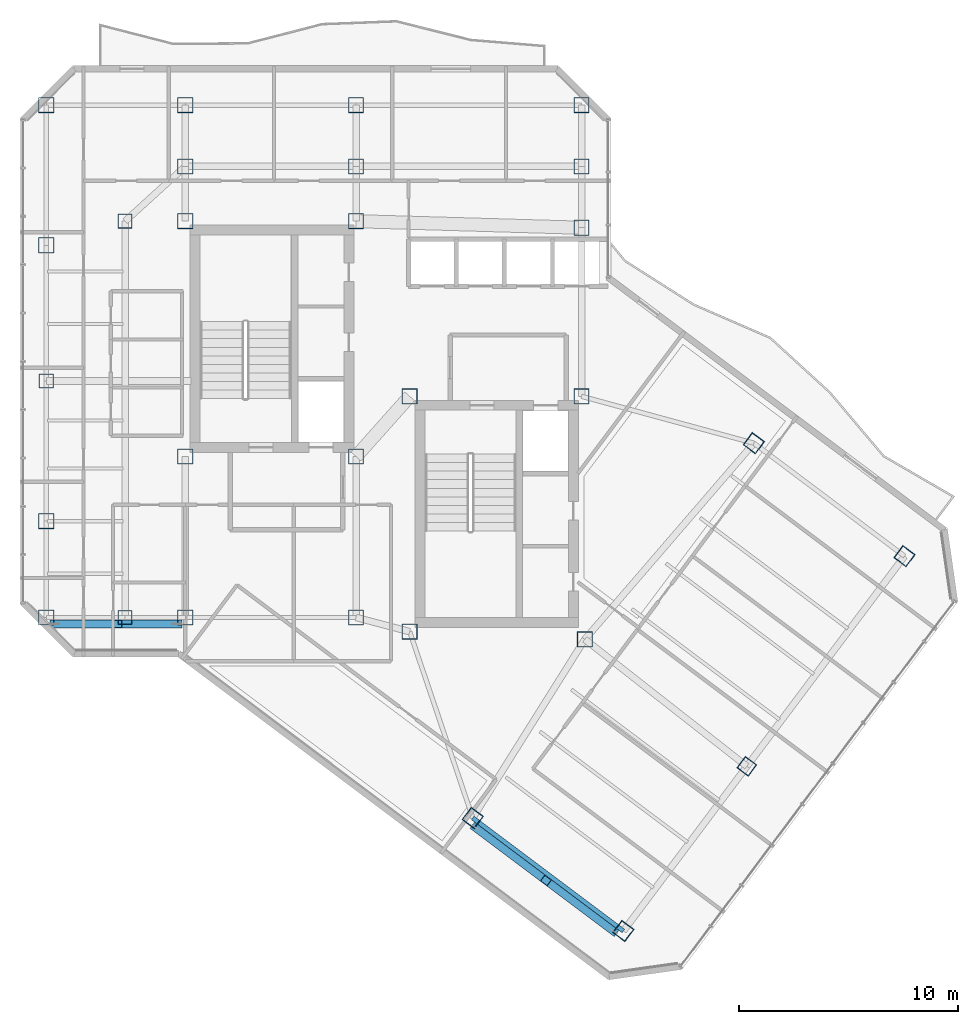
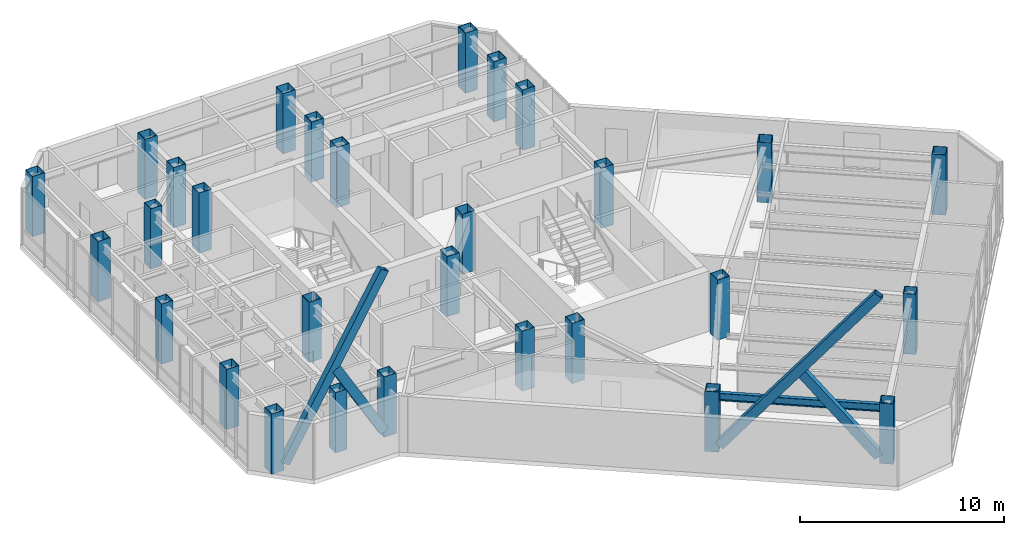
# One storey, part 1 of 25: 29 columns, 4 members, 1 beam.
"""IFC4 building model written with IfcOpenShell, lengths in metres."""

from ifc_helpers import new_model, si_unit, direction, frame, origin, origin_2d, place, context, subcontext, project, spatial, hollow_rectangle, i_section, extrude, material, material_profile, profile_set, type_object, element, save


model = new_model("IFC4")

# Units and contexts
model_context = context("Model", 3, precision=1e-05, world=origin(), true_north=direction((0.0, 1.0)))
body_context = subcontext(model_context, "Body", "Model", "MODEL_VIEW")
ifc_project = project(units=[si_unit("LENGTHUNIT", "METRE"), si_unit("AREAUNIT", "SQUARE_METRE"), si_unit("VOLUMEUNIT", "CUBIC_METRE"), si_unit("PLANEANGLEUNIT", "RADIAN"), si_unit("MASSUNIT", "GRAM", prefix="KILO")], contexts=[model_context])

# Site, building, storey
site_placement = place(None, origin())
site = spatial("IfcSite", under=ifc_project, at=site_placement, CompositionType="ELEMENT")
building_placement = place(site_placement, origin())
building = spatial("IfcBuilding", under=site, at=building_placement, Name="Hatsunagi Terrace Concourse", CompositionType="ELEMENT")
storey_placement = place(building_placement, frame((0.0, 0.0, 223.949951171875)))
storey = spatial("IfcBuildingStorey", under=building, at=storey_placement, Name="L59", CompositionType="ELEMENT", Elevation=223.949951171875)

# Columns
ifc_material_1 = material(Name="Steel BCP325T", Category="steel")
ifc_material_profile_1 = material_profile(ifc_material_1, hollow_rectangle(XDim=0.64990234375, YDim=0.64990234375, WallThickness=0.02490234375, at=origin_2d()), Name="BCP-650x650x25")
ifc_profile_set_1 = profile_set([ifc_material_profile_1], Name="Steel BCP325T")
column_type_1 = type_object("IfcColumnType", Name="TowerBoxColumn_650x650x25", PredefinedType="COLUMN", material=ifc_profile_set_1)
for number, where, z_axis, x_axis, name in (
    (1, (22.800048828125, 25.199951171875, 0.0), (0.0, 0.0, 1.0), (1.0, 0.0, 0.0), "Column C-09 L59-CW1"),
    (2, (22.800048828125, 43.300048828125, 0.0), (0.0, 0.0, 1.0), (1.0, 0.0, 0.0), "Column C-09 L59-CW2"),
    (3, (19.199951171875, 36.0, 0.0), (0.0, 0.0, 1.0), (1.0, 0.0, 0.0), "Column C-09 L59-WT2"),
    (4, (51.199951171875, 18.39990234375, 0.0), (0.0, 0.0, 1.0), (0.799999996291, -0.600000004945, 0.0), "Column C-09 L59-SEM2"),
):
    element("IfcColumn", number, at=place(storey_placement, frame(where, z_axis=z_axis, x_axis=x_axis)), inside=storey, type_object=column_type_1, Name=name, PredefinedType="COLUMN", context=body_context, shape_type="SweptSolid", body=[
        extrude(hollow_rectangle(XDim=0.64990234375, YDim=0.64990234375, WallThickness=0.02490234375, at=origin_2d()), origin(), (0.0, 0.0, 1.0), 3.60009765625),
    ])
ifc_material_2 = material(Name="Steel BCP325T", Category="steel")
ifc_material_profile_2 = material_profile(ifc_material_2, hollow_rectangle(XDim=0.699951171875, YDim=0.699951171875, WallThickness=0.028076171875, at=origin_2d()), Name="BCP-700x700x28")
ifc_profile_set_2 = profile_set([ifc_material_profile_2], Name="Steel BCP325T")
column_type_2 = type_object("IfcColumnType", Name="TowerBoxColumn_700x700x28", PredefinedType="COLUMN", material=ifc_profile_set_2)
for number, where, z_axis, x_axis, name in (
    (5, (25.550048828125, 32.550048828125, 0.0), (0.0, 0.0, 1.0), (1.0, 0.0, 0.0), "Column C-08 L59-CASW"),
    (6, (33.35009765625, 32.550048828125, 0.0), (0.0, 0.0, 1.0), (1.0, 0.0, 0.0), "Column C-08 L59-CASE"),
    (7, (25.550048828125, 43.300048828125, 0.0), (0.0, 0.0, 1.0), (1.0, 0.0, 0.0), "Column C-08 L59-CANW"),
    (8, (33.35009765625, 43.300048828125, 0.0), (0.0, 0.0, 1.0), (1.0, 0.0, 0.0), "Column C-08 L59-CANE"),
    (9, (35.800048828125, 24.550048828125, 0.0), (0.0, 0.0, 1.0), (1.0, 0.0, 0.0), "Column C-08 L59-CBSW"),
    (10, (43.800048828125, 24.199951171875, 0.0), (0.0, 0.0, 1.0), (1.0, 0.0, 0.0), "Column C-08 L59-CBSE"),
    (11, (35.800048828125, 35.300048828125, 0.0), (0.0, 0.0, 1.0), (1.0, 0.0, 0.0), "Column C-08 L59-CBNW"),
    (12, (43.64990234375, 35.300048828125, 0.0), (0.0, 0.0, 1.0), (1.0, 0.0, 0.0), "Column C-08 L59-CBNE"),
    (13, (25.550048828125, 25.199951171875, 0.0), (0.0, 0.0, 1.0), (1.0, 0.0, 0.0), "Column C-08 L59-K1"),
    (14, (33.35009765625, 25.199951171875, 0.0), (0.0, 0.0, 1.0), (1.0, 0.0, 0.0), "Column C-08 L59-K2"),
    (15, (43.64990234375, 43.0, 0.0), (0.0, 0.0, 1.0), (1.0, 0.0, 0.0), "Column C-08 L59-K3"),
    (16, (25.550048828125, 45.800048828125, 0.0), (0.0, 0.0, 1.0), (1.0, 0.0, 0.0), "Column C-08 L59-CN1"),
    (17, (33.35009765625, 45.800048828125, 0.0), (0.0, 0.0, 1.0), (1.0, 0.0, 0.0), "Column C-08 L59-CN2"),
    (18, (43.64990234375, 45.800048828125, 0.0), (0.0, 0.0, 1.0), (1.0, 0.0, 0.0), "Column C-08 L59-CN3"),
    (19, (19.199951171875, 48.60009765625, 0.0), (0.0, 0.0, 1.0), (1.0, 0.0, 0.0), "Column C-08 L59-WN3"),
    (20, (25.550048828125, 48.60009765625, 0.0), (0.0, 0.0, 1.0), (1.0, 0.0, 0.0), "Column C-08 L59-WN4"),
    (21, (33.35009765625, 48.60009765625, 0.0), (0.0, 0.0, 1.0), (1.0, 0.0, 0.0), "Column C-08 L59-WN5"),
    (22, (43.64990234375, 48.60009765625, 0.0), (0.0, 0.0, 1.0), (1.0, 0.0, 0.0), "Column C-08 L59-WN6"),
    (23, (19.199951171875, 25.199951171875, 0.0), (0.0, 0.0, 1.0), (1.0, 0.0, 0.0), "Column C-08 L59-WS3"),
    (24, (19.199951171875, 29.60009765625, 0.0), (0.0, 0.0, 1.0), (1.0, 0.0, 0.0), "Column C-08 L59-WR1"),
    (25, (19.199951171875, 42.199951171875, 0.0), (0.0, 0.0, 1.0), (1.0, 0.0, 0.0), "Column C-08 L59-WR2"),
    (26, (38.679931640625, 16.0400390625, 0.0), (0.0, 0.0, 1.0), (0.799999996291, -0.600000004945, 0.0), "Column C-08 L59-SES1"),
    (27, (51.52001953125, 33.159912109375, 0.0), (0.0, 0.0, 1.0), (0.799999996291, -0.600000004945, 0.0), "Column C-08 L59-SEN1"),
    (28, (45.56005859375, 10.8798828125, 0.0), (0.0, 0.0, 1.0), (0.799999996291, -0.600000004945, 0.0), "Column C-08 L59-SES2"),
    (29, (58.39990234375, 28.0, 0.0), (0.0, 0.0, 1.0), (0.799999996291, -0.600000004945, 0.0), "Column C-08 L59-SEN2"),
):
    element("IfcColumn", number, at=place(storey_placement, frame(where, z_axis=z_axis, x_axis=x_axis)), inside=storey, type_object=column_type_2, Name=name, PredefinedType="COLUMN", context=body_context, shape_type="SweptSolid", body=[
        extrude(hollow_rectangle(XDim=0.699951171875, YDim=0.699951171875, WallThickness=0.028076171875, at=origin_2d()), origin(), (0.0, 0.0, 1.0), 3.60009765625),
    ])

# Beam
ifc_material_3 = material(Name="Steel SN490B", Category="steel")
ifc_material_profile_3 = material_profile(ifc_material_3, i_section(OverallWidth=0.199951171875, OverallDepth=0.449951171875, WebThickness=0.009033203125, FlangeThickness=0.013916015625, FilletRadius=0.01611328125, at=origin_2d()), Name="H-450x200x9x14")
ifc_profile_set_3 = profile_set([ifc_material_profile_3], Name="Steel SN490B")
beam_type = type_object("IfcBeamType", Name="PerimeterSpandrel_H_450x200", PredefinedType="SPANDREL", material=ifc_profile_set_3)
beam_placement = place(storey_placement, frame((38.679931640625, 16.0400390625, 3.125), z_axis=(0.799996593451, -0.600004542038, 0.0), x_axis=(0.600004542038, 0.799996593451, 0.0)))
element("IfcBeam", 30, at=beam_placement, inside=storey, type_object=beam_type, Name="Beam SP-02 BM-L59-SE-SW2", PredefinedType="SPANDREL", context=body_context, shape_type="SweptSolid", body=[
    extrude(i_section(OverallWidth=0.199951171875, OverallDepth=0.449951171875, WebThickness=0.009033203125, FlangeThickness=0.013916015625, FilletRadius=0.01611328125, at=origin_2d()), origin(), (0.0, 0.0, 1.0), 8.60009765625),
])

# Members
ifc_material_4 = material(Name="Steel SN490B", Category="steel")
ifc_material_profile_4 = material_profile(ifc_material_4, hollow_rectangle(XDim=0.35009765625, YDim=0.5, WallThickness=0.02197265625, at=origin_2d()), Name="RHS-500x350x22")
ifc_profile_set_4 = profile_set([ifc_material_profile_4], Name="Steel SN490B")
member_type = type_object("IfcMemberType", Name="PerimeterXBrace_Upper_RHS_500x350x22", PredefinedType="BRACE", material=ifc_profile_set_4)
member_1_placement = place(storey_placement, frame((19.574951171875, 24.89990234375, 0.43994140625), z_axis=(0.50309079101, 0.0, 0.864233565653), x_axis=(0.0, 1.0, 0.0)))
element("IfcMember", 31, at=member_1_placement, inside=storey, type_object=member_type, Name="Perimeter X-Brace XB-03 XB-L59-W1A", PredefinedType="BRACE", context=body_context, shape_type="SweptSolid", body=[
    extrude(hollow_rectangle(XDim=0.35009765625, YDim=0.5, WallThickness=0.02197265625, at=origin_2d()), origin(), (0.0, 0.0, 1.0), 11.13134765625),
])
member_2_placement = place(storey_placement, frame((22.445068359375, 24.89990234375, 5.129150390625), z_axis=(0.50312947834, 0.0, -0.864211043684), x_axis=(0.0, 1.0, 0.0)))
element("IfcMember", 32, at=member_2_placement, inside=storey, type_object=member_type, Name="Perimeter X-Brace Split Lower XB-03 XB-L59-W1B2", PredefinedType="BRACE", context=body_context, shape_type="SweptSolid", body=[
    extrude(hollow_rectangle(XDim=0.35009765625, YDim=0.5, WallThickness=0.02197265625, at=origin_2d()), origin(), (0.0, 0.0, 1.0), 5.426025390625),
])
member_3_placement = place(storey_placement, frame((38.81201171875, 15.591064453125, 0.43994140625), z_axis=(0.505781481452, -0.379331195435, 0.774785736311), x_axis=(0.599995023874, 0.800003732071, 0.0)))
element("IfcMember", 33, at=member_3_placement, inside=storey, type_object=member_type, Name="Perimeter X-Brace XB-03 XB-L59-SEA", PredefinedType="BRACE", context=body_context, shape_type="SweptSolid", body=[
    extrude(hollow_rectangle(XDim=0.35009765625, YDim=0.5, WallThickness=0.02197265625, at=origin_2d()), origin(), (0.0, 0.0, 1.0), 12.41650390625),
])
member_4_placement = place(storey_placement, frame((42.02294921875, 13.18310546875, 5.14208984375), z_axis=(0.505727375987, -0.379325704254, -0.774823742066), x_axis=(0.600030545184, 0.799977090201, 0.0)))
element("IfcMember", 34, at=member_4_placement, inside=storey, type_object=member_type, Name="Perimeter X-Brace Split Lower XB-03 XB-L59-SEB2", PredefinedType="BRACE", context=body_context, shape_type="SweptSolid", body=[
    extrude(hollow_rectangle(XDim=0.35009765625, YDim=0.5, WallThickness=0.02197265625, at=origin_2d()), origin(), (0.0, 0.0, 1.0), 6.068603515625),
])

save(model, "model.ifc")
